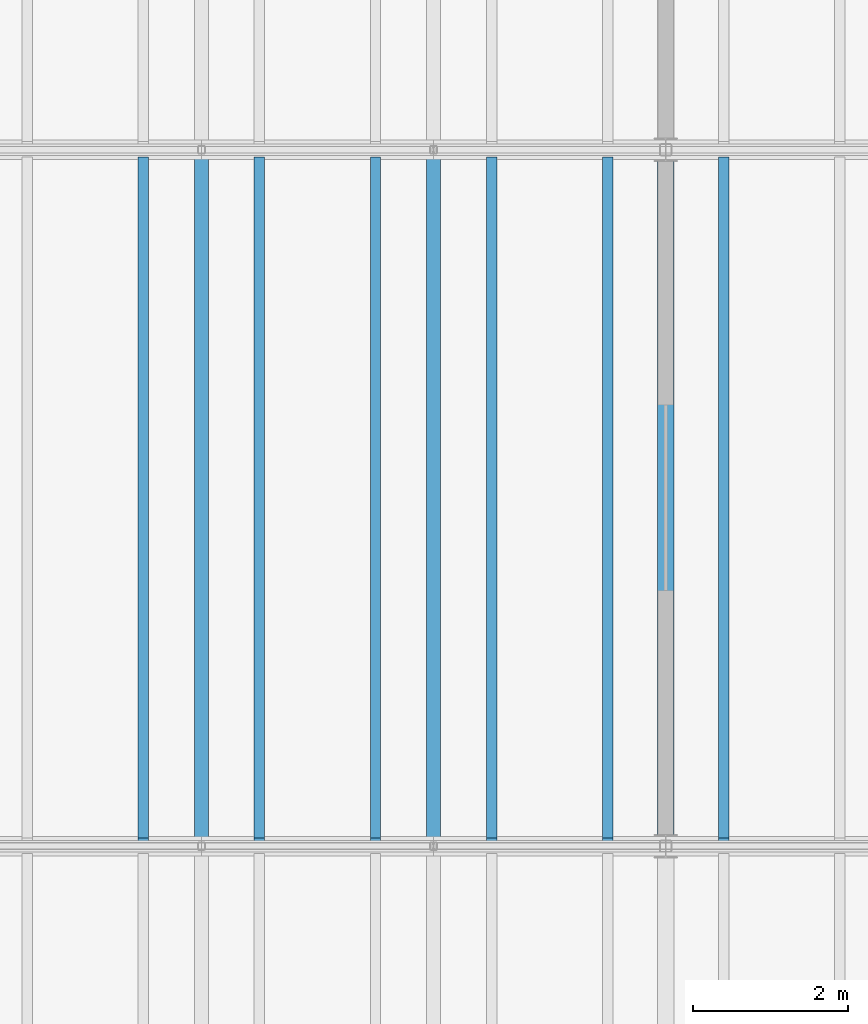
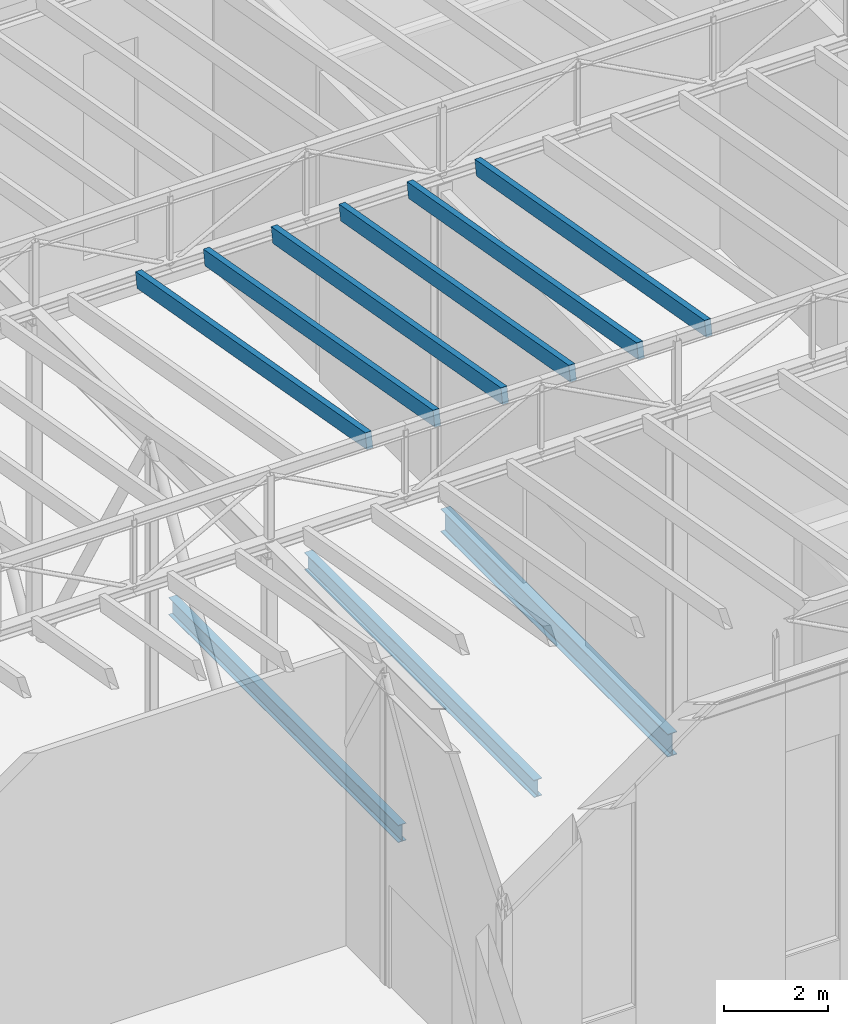
# One storey, part 37 of 90: 6 members, 3 beams.
"""IFC4 building model written with IfcOpenShell, lengths in metres."""

from ifc_helpers import new_model, si_unit, direction, frame, origin, origin_2d, place, context, subcontext, project, spatial, rectangle, i_section, extrude, material, material_profile, profile_set, type_object, element, save


model = new_model("IFC4")

# Units and contexts
model_context = context("Model", 3, precision=1e-05, world=origin(), true_north=direction((0.0, 1.0)))
body_context = subcontext(model_context, "Body", "Model", "MODEL_VIEW")
ifc_project = project(units=[si_unit("LENGTHUNIT", "METRE"), si_unit("AREAUNIT", "SQUARE_METRE"), si_unit("VOLUMEUNIT", "CUBIC_METRE"), si_unit("PLANEANGLEUNIT", "RADIAN"), si_unit("MASSUNIT", "GRAM", prefix="KILO")], contexts=[model_context])

# Site, building, storey
site_placement = place(None, origin())
site = spatial("IfcSite", under=ifc_project, at=site_placement, CompositionType="ELEMENT")
building_placement = place(site_placement, origin())
building = spatial("IfcBuilding", under=site, at=building_placement, Name="Halyard Row Museum", CompositionType="ELEMENT")
storey_placement = place(building_placement, frame((0.0, 0.0, 13.39990234375)))
storey = spatial("IfcBuildingStorey", under=building, at=storey_placement, Name="L03", CompositionType="ELEMENT", Elevation=13.39990234375)

# Beam
ifc_material_1 = material(Name="Steel Grade 300", Category="steel")
ifc_material_profile_1 = material_profile(ifc_material_1, i_section(OverallWidth=0.208984375, OverallDepth=0.532958984375, WebThickness=0.01025390625, FlangeThickness=0.015625, FilletRadius=0.013916015625, at=origin_2d()), Name="530UB92.4")
ifc_profile_set_1 = profile_set([ifc_material_profile_1], Name="Steel Grade 300")
beam_type_1 = type_object("IfcBeamType", Name="Girder beam 530UB92.4", PredefinedType="BEAM", material=ifc_profile_set_1)
beam_placement = place(storey_placement, frame((63.0, 27.154052734375, -0.431396484375), z_axis=(0.0, 1.0, 0.0), x_axis=(-1.0, 0.0, 0.0)))
element("IfcBeam", 1, at=beam_placement, inside=storey, type_object=beam_type_1, Name="Beam L03-050", PredefinedType="BEAM", context=body_context, shape_type="SweptSolid", body=[
    extrude(i_section(OverallWidth=0.208984375, OverallDepth=0.532958984375, WebThickness=0.01025390625, FlangeThickness=0.015625, FilletRadius=0.013916015625, at=origin_2d()), origin(), (0.0, 0.0, 1.0), 8.69189453125),
])

# Members
ifc_material_2 = material(Name="Glulam GL12 radiata pine", Category="wood")
ifc_material_profile_2 = material_profile(ifc_material_2, rectangle(XDim=0.135009765625, YDim=0.360107421875, at=origin_2d()), Name="GL12 135x360")
ifc_profile_set_2 = profile_set([ifc_material_profile_2], Name="Glulam GL12 radiata pine")
member_type = type_object("IfcMemberType", Name="Rafter GL12 135x360", PredefinedType="RAFTER", material=ifc_profile_set_2)
for number, where, z_axis, x_axis, name in (
    (2, (56.25, 27.074462890625, 9.083984375), (0.0, 0.984562193919, -0.175035100209), (-1.0, 0.0, 0.0), "Rafter V1-T2a.20"),
    (3, (57.75, 27.074462890625, 9.083984375), (0.0, 0.984562193919, -0.175035100209), (-1.0, 0.0, 0.0), "Rafter V1-T2a.21"),
    (4, (59.25, 27.074462890625, 9.083984375), (0.0, 0.984562193919, -0.175035100209), (-1.0, 0.0, 0.0), "Rafter V1-T2a.22"),
    (5, (60.75, 27.074462890625, 9.083984375), (0.0, 0.984562193919, -0.175035100209), (-1.0, 0.0, 0.0), "Rafter V1-T2a.23"),
    (6, (62.25, 27.074462890625, 9.083984375), (0.0, 0.984562193919, -0.175035100209), (-1.0, 0.0, 0.0), "Rafter V1-T2a.24"),
    (7, (63.75, 27.074462890625, 9.083984375), (0.0, 0.984562193919, -0.175035100209), (-1.0, 0.0, 0.0), "Rafter V1-T2a.25"),
):
    element("IfcMember", number, at=place(storey_placement, frame(where, z_axis=z_axis, x_axis=x_axis)), inside=storey, type_object=member_type, Name=name, PredefinedType="RAFTER", context=body_context, shape_type="SweptSolid", body=[
        extrude(rectangle(XDim=0.135009765625, YDim=0.360107421875, at=origin_2d()), origin(), (0.0, 0.0, 1.0), 8.9365234375),
    ])

# Beams
ifc_material_3 = material(Name="Steel Grade 300", Category="steel")
ifc_material_profile_3 = material_profile(ifc_material_3, i_section(OverallWidth=0.177978515625, OverallDepth=0.406494140625, WebThickness=0.0078125, FlangeThickness=0.0126953125, FilletRadius=0.011474609375, at=origin_2d()), Name="410UB59.7")
ifc_profile_set_3 = profile_set([ifc_material_profile_3], Name="Steel Grade 300")
beam_type_2 = type_object("IfcBeamType", Name="Secondary beam 410UB59.7", PredefinedType="BEAM", material=ifc_profile_set_3)
for number, where, z_axis, x_axis, name in (
    (8, (57.0, 27.1044921875, -0.3681640625), (0.0, 1.0, 0.0), (-1.0, 0.0, 0.0), "Beam L03-105"),
    (9, (60.0, 27.1044921875, -0.3681640625), (0.0, 1.0, 0.0), (-1.0, 0.0, 0.0), "Beam L03-106"),
):
    element("IfcBeam", number, at=place(storey_placement, frame(where, z_axis=z_axis, x_axis=x_axis)), inside=storey, type_object=beam_type_2, Name=name, PredefinedType="BEAM", context=body_context, shape_type="SweptSolid", body=[
        extrude(i_section(OverallWidth=0.177978515625, OverallDepth=0.406494140625, WebThickness=0.0078125, FlangeThickness=0.0126953125, FilletRadius=0.011474609375, at=origin_2d()), origin(), (0.0, 0.0, 1.0), 8.791015625),
    ])

save(model, "model.ifc")
